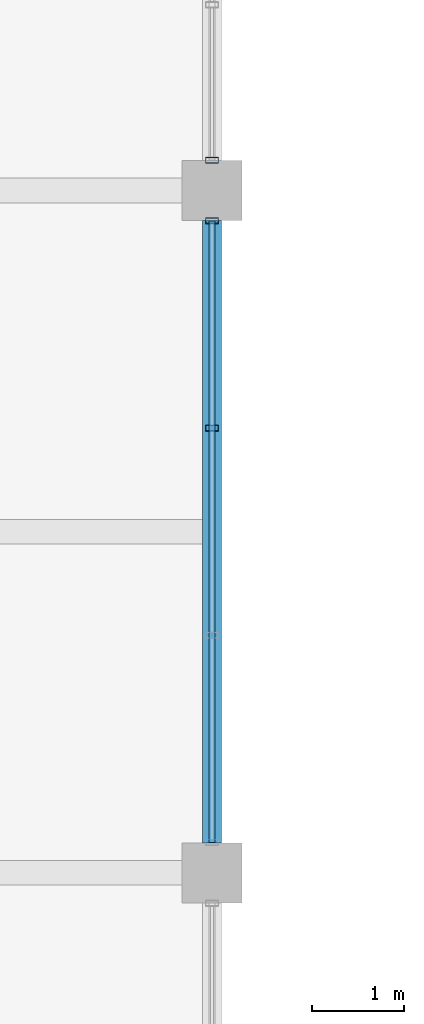
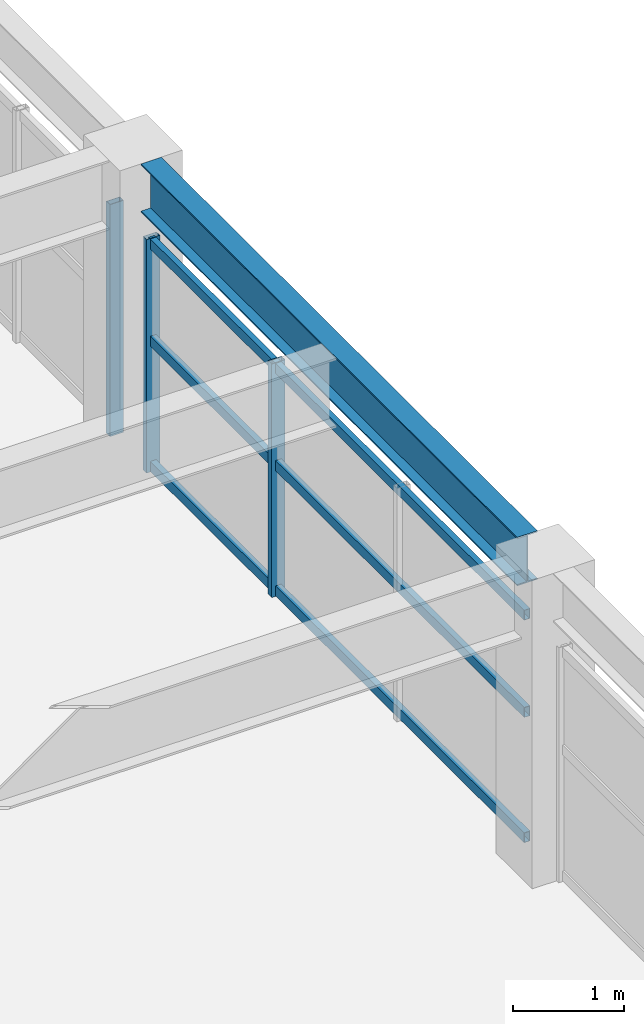
# One storey, part 39 of 93: 6 members, 1 beam, 2 elements without a shape of their own.
"""IFC4 building model written with IfcOpenShell, lengths in metres."""

from ifc_helpers import new_model, si_unit, direction, frame, origin, origin_2d, place, context, subcontext, project, spatial, hollow_rectangle, i_section, extrude, material, material_profile, profile_set, type_object, element, aggregate, save


model = new_model("IFC4")

# Units and contexts
model_context = context("Model", 3, precision=1e-05, world=origin(), true_north=direction((0.0, 1.0)))
body_context = subcontext(model_context, "Body", "Model", "MODEL_VIEW")
ifc_project = project(units=[si_unit("LENGTHUNIT", "METRE"), si_unit("AREAUNIT", "SQUARE_METRE"), si_unit("VOLUMEUNIT", "CUBIC_METRE"), si_unit("PLANEANGLEUNIT", "RADIAN"), si_unit("MASSUNIT", "GRAM", prefix="KILO")], contexts=[model_context])

# Site, building, storey
site_placement = place(None, origin())
site = spatial("IfcSite", under=ifc_project, at=site_placement, CompositionType="ELEMENT")
building_placement = place(site_placement, origin())
building = spatial("IfcBuilding", under=site, at=building_placement, Name="Cimatlan Art Gallery", CompositionType="ELEMENT")
storey_placement = place(building_placement, frame((0.0, 0.0, 13.800048828125)))
storey = spatial("IfcBuildingStorey", under=building, at=storey_placement, Name="L03", CompositionType="ELEMENT", Elevation=13.800048828125)

# Beam
ifc_material_1 = material(Name="Steel ASTM A992 Grade 50", Category="steel")
ifc_material_profile_1 = material_profile(ifc_material_1, i_section(OverallWidth=0.2099609375, OverallDepth=0.532958984375, WebThickness=0.01025390625, FlangeThickness=0.015625, at=origin_2d()), Name="W21X62")
ifc_profile_set_1 = profile_set([ifc_material_profile_1], Name="Steel ASTM A992 Grade 50")
beam_type = type_object("IfcBeamType", Name="BM-STL-W21X62", PredefinedType="BEAM", material=ifc_profile_set_1)
beam_placement = place(storey_placement, frame((99.199951171875, 46.425048828125, 3.113525390625), z_axis=(0.0, 1.0, 0.0), x_axis=(-1.0, 0.0, 0.0)))
element("IfcBeam", 1, at=beam_placement, inside=storey, type_object=beam_type, Name="BM-Y-L03-12-06", PredefinedType="BEAM", context=body_context, shape_type="SweptSolid", body=[
    extrude(i_section(OverallWidth=0.2099609375, OverallDepth=0.532958984375, WebThickness=0.01025390625, FlangeThickness=0.015625, at=origin_2d()), origin(), (0.0, 0.0, 1.0), 6.75),
])

# Curtain wall, members
ifc_material_2 = material(Name="Anodised bronze unitised curtain wall")
curtain_wall_type_1 = type_object("IfcCurtainWallType", Name="CW-V-06742X02558-B3", PredefinedType="NOTDEFINED", material=ifc_material_2)
curtain_wall_1_placement = place(storey_placement, origin())
curtain_wall_1 = element("IfcCurtainWall", 2, at=curtain_wall_1_placement, inside=storey, type_object=curtain_wall_type_1, Name="CW-L03-11-06-E", PredefinedType="NOTDEFINED")
ifc_material_3 = material(Name="Anodised bronze aluminium 6063-T6", Category="aluminium")
ifc_material_profile_2 = material_profile(ifc_material_3, hollow_rectangle(XDim=0.06494140625, YDim=0.139892578125, WallThickness=0.00390625, at=origin_2d()), Name="ALU65X140X4")
ifc_profile_set_2 = profile_set([ifc_material_profile_2], Name="Anodised bronze aluminium 6063-T6")
member_type_1 = type_object("IfcMemberType", Name="CW-MUL-140", PredefinedType="MULLION", material=ifc_profile_set_2)
member_1_placement = place(storey_placement, frame((99.199951171875, 53.1708984375, 0.0), z_axis=(0.0, 0.0, 1.0), x_axis=(0.0, 1.0, 0.0)))
member_1 = element("IfcMember", 3, at=member_1_placement, type_object=member_type_1, Name="CW-L03-11-06-E-M1", PredefinedType="MULLION", context=body_context, shape_type="SweptSolid", body=[
    extrude(hollow_rectangle(XDim=0.06494140625, YDim=0.139892578125, WallThickness=0.00390625, at=origin_2d()), origin(), (0.0, 0.0, 1.0), 2.557861328125),
])
member_2_placement = place(storey_placement, frame((99.199951171875, 50.923583984375, 0.0), z_axis=(0.0, 0.0, 1.0), x_axis=(0.0, 1.0, 0.0)))
member_2 = element("IfcMember", 4, at=member_2_placement, type_object=member_type_1, Name="CW-L03-11-06-E-M2", PredefinedType="MULLION", context=body_context, shape_type="SweptSolid", body=[
    extrude(hollow_rectangle(XDim=0.06494140625, YDim=0.139892578125, WallThickness=0.00390625, at=origin_2d()), origin(), (0.0, 0.0, 1.0), 2.557861328125),
])

# Curtain wall, member
curtain_wall_type_2 = type_object("IfcCurtainWallType", Name="CW-V-06742X02543-B4", PredefinedType="NOTDEFINED", material=ifc_material_2)
curtain_wall_2_placement = place(storey_placement, origin())
curtain_wall_2 = element("IfcCurtainWall", 5, at=curtain_wall_2_placement, inside=storey, type_object=curtain_wall_type_2, Name="CW-L03-11-07-E", PredefinedType="NOTDEFINED")
member_3_placement = place(storey_placement, frame((99.199951171875, 53.8291015625, 0.0), z_axis=(0.0, 0.0, 1.0), x_axis=(0.0, 1.0, 0.0)))
member_3 = element("IfcMember", 6, at=member_3_placement, type_object=member_type_1, Name="CW-L03-11-07-E-M5", PredefinedType="MULLION", context=body_context, shape_type="SweptSolid", body=[
    extrude(hollow_rectangle(XDim=0.06494140625, YDim=0.139892578125, WallThickness=0.00390625, at=origin_2d()), origin(), (0.0, 0.0, 1.0), 2.54296875),
])
aggregate(curtain_wall_2, [member_3])

# Member
ifc_material_profile_3 = material_profile(ifc_material_3, hollow_rectangle(XDim=0.06005859375, YDim=0.110107421875, WallThickness=0.00341796875, at=origin_2d()), Name="ALU60X110X3")
ifc_profile_set_3 = profile_set([ifc_material_profile_3], Name="Anodised bronze aluminium 6063-T6")
member_type_2 = type_object("IfcMemberType", Name="CW-TRN-110", PredefinedType="USERDEFINED", material=ifc_profile_set_3)
member_4_placement = place(storey_placement, frame((99.199951171875, 53.1708984375, 0.06005859375), z_axis=(0.0, -1.0, 0.0), x_axis=(1.0, 0.0, 0.0)))
member_4 = element("IfcMember", 7, at=member_4_placement, type_object=member_type_2, Name="CW-L03-11-06-E-T1", ObjectType="TRANSOM", PredefinedType="USERDEFINED", context=body_context, shape_type="SweptSolid", body=[
    extrude(hollow_rectangle(XDim=0.06005859375, YDim=0.110107421875, WallThickness=0.00341796875, at=origin_2d()), origin(), (0.0, 0.0, 1.0), 6.741943359375),
])

member_5_placement = place(storey_placement, frame((99.199951171875, 53.1708984375, 1.432373046875), z_axis=(0.0, -1.0, 0.0), x_axis=(1.0, 0.0, 0.0)))
member_5 = element("IfcMember", 8, at=member_5_placement, type_object=member_type_2, Name="CW-L03-11-06-E-T2", ObjectType="TRANSOM", PredefinedType="USERDEFINED", context=body_context, shape_type="SweptSolid", body=[
    extrude(hollow_rectangle(XDim=0.06005859375, YDim=0.110107421875, WallThickness=0.00341796875, at=origin_2d()), origin(), (0.0, 0.0, 1.0), 6.741943359375),
])

member_6_placement = place(storey_placement, frame((99.199951171875, 53.1708984375, 2.498046875), z_axis=(0.0, -1.0, 0.0), x_axis=(1.0, 0.0, 0.0)))
member_6 = element("IfcMember", 9, at=member_6_placement, type_object=member_type_2, Name="CW-L03-11-06-E-T3", ObjectType="TRANSOM", PredefinedType="USERDEFINED", context=body_context, shape_type="SweptSolid", body=[
    extrude(hollow_rectangle(XDim=0.06005859375, YDim=0.110107421875, WallThickness=0.00341796875, at=origin_2d()), origin(), (0.0, 0.0, 1.0), 6.741943359375),
])

aggregate(curtain_wall_1, [member_1, member_2, member_4, member_5, member_6])

save(model, "model.ifc")
